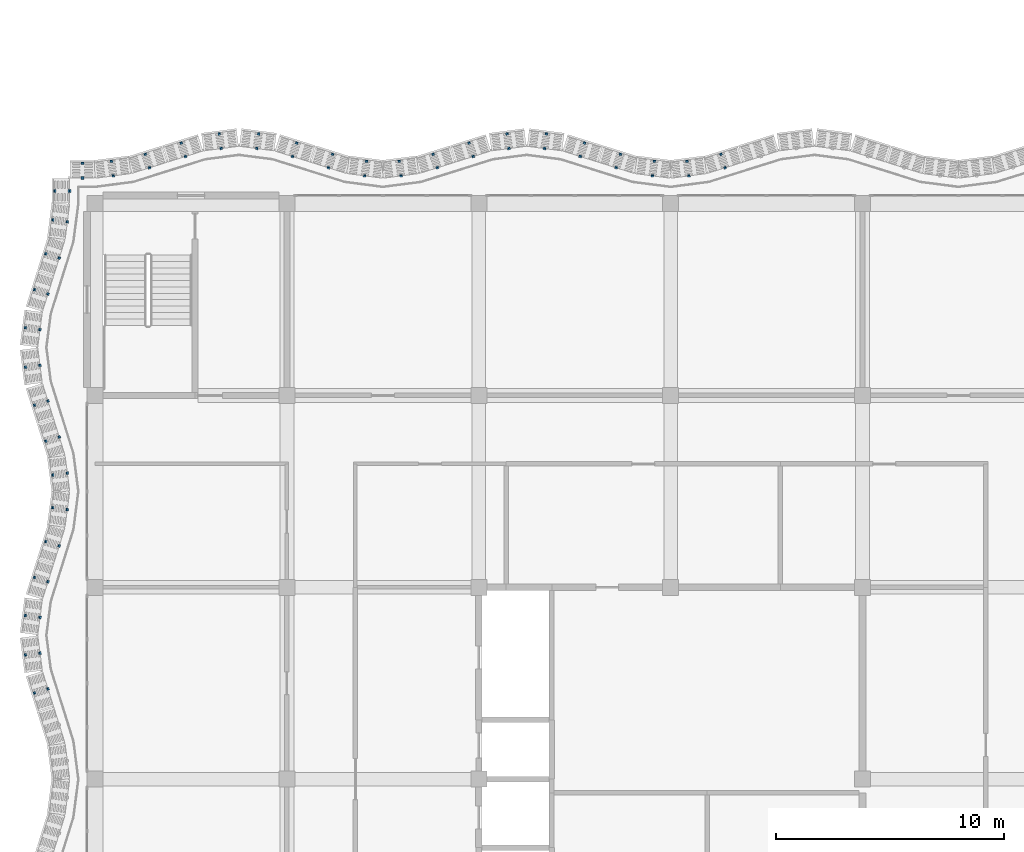
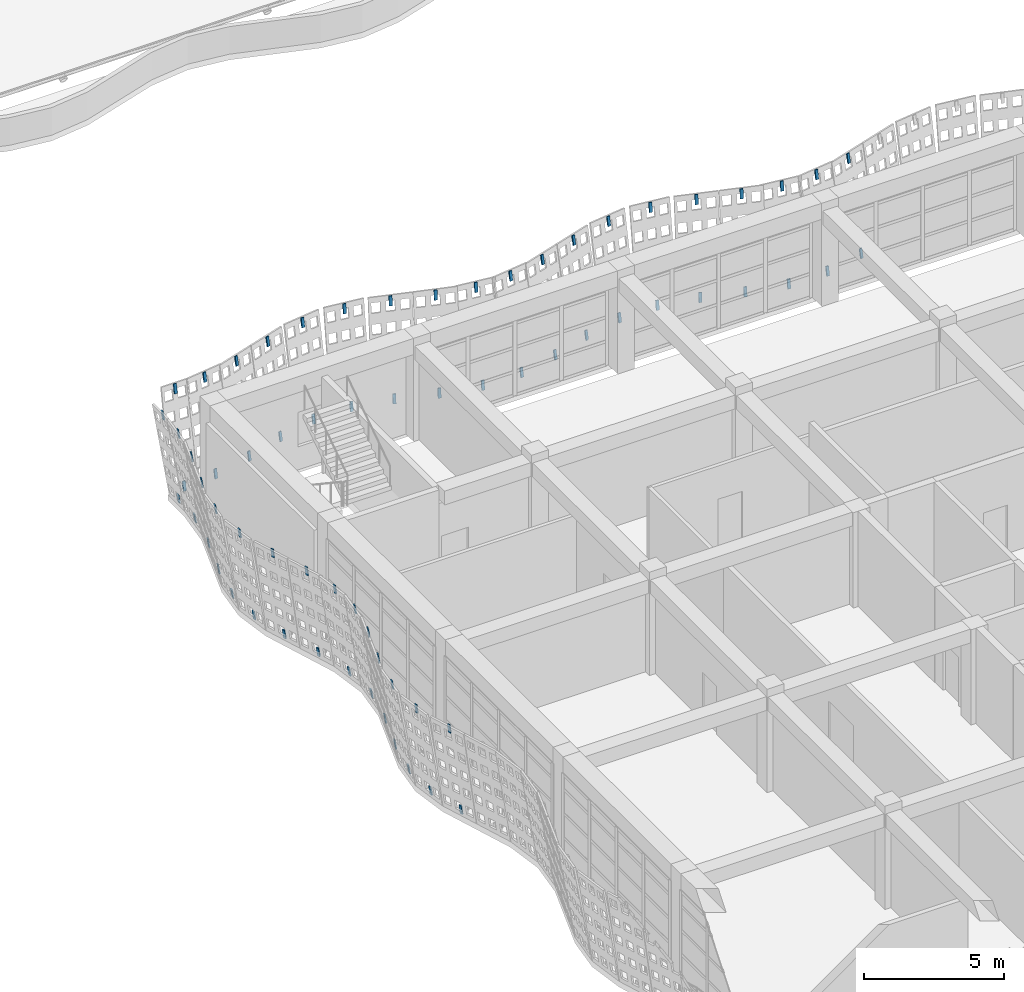
# One storey, part 118 of 163: 68 discrete accessories.
"""IFC4 building model written with IfcOpenShell, lengths in metres."""

from ifc_helpers import new_model, si_unit, direction, frame, origin, origin_2d, place, context, subcontext, project, spatial, rectangle, extrude, material, material_profile, profile_set, type_object, element, save


model = new_model("IFC4")

# Units and contexts
model_context = context("Model", 3, precision=1e-05, world=origin(), true_north=direction((0.0, 1.0)))
body_context = subcontext(model_context, "Body", "Model", "MODEL_VIEW")
ifc_project = project(units=[si_unit("LENGTHUNIT", "METRE"), si_unit("AREAUNIT", "SQUARE_METRE"), si_unit("VOLUMEUNIT", "CUBIC_METRE"), si_unit("PLANEANGLEUNIT", "RADIAN"), si_unit("MASSUNIT", "GRAM", prefix="KILO")], contexts=[model_context])

# Site, building, storey
site_placement = place(None, origin())
site = spatial("IfcSite", under=ifc_project, at=site_placement, CompositionType="ELEMENT")
building_placement = place(site_placement, origin())
building = spatial("IfcBuilding", under=site, at=building_placement, Name="Rain Tree Exposition and Congress Centre", CompositionType="ELEMENT")
storey_placement = place(building_placement, frame((0.0, 0.0, 10.5)))
storey = spatial("IfcBuildingStorey", under=building, at=storey_placement, Name="L02", CompositionType="ELEMENT", Elevation=10.5)

# Discrete accessories
ifc_material = material(Name="Steel S355J2", Category="steel")
ifc_material_profile = material_profile(ifc_material, rectangle(XDim=0.1201171875, YDim=0.050048828125, at=origin_2d()), Name="Flat bar 120x50")
ifc_profile_set = profile_set([ifc_material_profile], Name="Steel S355J2")
discrete_accessory_type = type_object("IfcDiscreteAccessoryType", Name="Screen bracket 120x50", PredefinedType="BRACKET", material=ifc_profile_set)
for number, where, z_axis, x_axis, name in (
    (1, (27.4091796875, 52.5283203125, 3.85107421875), (-0.047601548727, 0.150738237635, 0.987426997946), (-0.953582665134, -0.301131367937, 0.0), "wing/bracket/L02/0831t"),
    (2, (27.593505859375, 51.941162109375, 0.00390625), (-0.04699262887, 0.150742588713, 0.987455500152), (-0.954686073127, -0.297614686764, 0.0), "wing/bracket/L02/0831b"),
):
    element("IfcDiscreteAccessory", number, at=place(storey_placement, frame(where, z_axis=z_axis, x_axis=x_axis)), inside=storey, type_object=discrete_accessory_type, Name=name, PredefinedType="BRACKET", context=body_context, shape_type="SweptSolid", body=[
        extrude(rectangle(XDim=0.1201171875, YDim=0.050048828125, at=origin_2d()), origin(), (0.0, 0.0, 1.0), 0.400146484375),
    ])
for number, where, z_axis, x_axis, name in (
    (3, (25.918212890625, 52.2216796875, 3.851318359375), (-0.020755767579, 0.162383358115, 0.986509423736), (-0.991929834703, -0.126788023985, 0.0), "wing/bracket/L02/0841t"),
    (4, (26.0009765625, 51.587158203125, 0.004150390625), (-0.021363835031, 0.162975541524, 0.986398783159), (-0.991517377774, -0.129974188098, 0.0), "wing/bracket/L02/0841b"),
    (5, (24.481689453125, 52.2216796875, 3.851318359375), (0.021365956631, 0.162381270396, 0.986496740452), (-0.991454295543, 0.130454512571, 0.0), "wing/bracket/L02/0851t"),
    (6, (24.399169921875, 51.587158203125, 0.004150390625), (0.021363835031, 0.162975541524, 0.986398783159), (-0.991517377774, 0.129974188098, 0.0), "wing/bracket/L02/0851b"),
):
    element("IfcDiscreteAccessory", number, at=place(storey_placement, frame(where, z_axis=z_axis, x_axis=x_axis)), inside=storey, type_object=discrete_accessory_type, Name=name, PredefinedType="BRACKET", context=body_context, shape_type="SweptSolid", body=[
        extrude(rectangle(XDim=0.1201171875, YDim=0.050048828125, at=origin_2d()), origin(), (0.0, 0.0, 1.0), 0.39990234375),
    ])
for number, where, z_axis, x_axis, name in (
    (7, (22.990966796875, 52.5283203125, 3.85107421875), (0.047601548727, 0.150738237635, 0.987426997946), (-0.953582665134, 0.301131367937, 0.0), "wing/bracket/L02/0861t"),
    (8, (22.806396484375, 51.941162109375, 0.00390625), (0.047601548727, 0.150738237635, 0.987426997946), (-0.953582665134, 0.301131367937, 0.0), "wing/bracket/L02/0861b"),
    (9, (21.419189453125, 53.022216796875, 3.85107421875), (0.047601548727, 0.150738237635, 0.987426997946), (-0.953582665134, 0.301131367937, 0.0), "wing/bracket/L02/0871t"),
    (10, (21.23486328125, 52.43505859375, 0.00390625), (0.04699262887, 0.150742588713, 0.987455500152), (-0.954686073127, 0.297614686764, 0.0), "wing/bracket/L02/0871b"),
):
    element("IfcDiscreteAccessory", number, at=place(storey_placement, frame(where, z_axis=z_axis, x_axis=x_axis)), inside=storey, type_object=discrete_accessory_type, Name=name, PredefinedType="BRACKET", context=body_context, shape_type="SweptSolid", body=[
        extrude(rectangle(XDim=0.1201171875, YDim=0.050048828125, at=origin_2d()), origin(), (0.0, 0.0, 1.0), 0.400146484375),
    ])
for number, where, z_axis, x_axis, name in (
    (11, (19.75830078125, 53.41650390625, 3.851318359375), (0.021365956631, 0.162381270396, 0.986496740452), (-0.991454295543, 0.130454512571, 0.0), "wing/bracket/L02/0881t"),
    (12, (19.67578125, 52.781982421875, 0.004150390625), (0.021363835031, 0.162975541524, 0.986398783159), (-0.991517377774, 0.129974188098, 0.0), "wing/bracket/L02/0881b"),
    (13, (18.04150390625, 53.41650390625, 3.851318359375), (-0.020755767579, 0.162383358115, 0.986509423736), (-0.991929834703, -0.126788023985, 0.0), "wing/bracket/L02/0891t"),
    (14, (18.124267578125, 52.781982421875, 0.004150390625), (-0.021363835031, 0.162975541524, 0.986398783159), (-0.991517377774, -0.129974188098, 0.0), "wing/bracket/L02/0891b"),
):
    element("IfcDiscreteAccessory", number, at=place(storey_placement, frame(where, z_axis=z_axis, x_axis=x_axis)), inside=storey, type_object=discrete_accessory_type, Name=name, PredefinedType="BRACKET", context=body_context, shape_type="SweptSolid", body=[
        extrude(rectangle(XDim=0.1201171875, YDim=0.050048828125, at=origin_2d()), origin(), (0.0, 0.0, 1.0), 0.39990234375),
    ])
for number, where, z_axis, x_axis, name in (
    (15, (16.380615234375, 53.022216796875, 3.85107421875), (-0.04699262887, 0.150742588713, 0.987455500152), (-0.954686073127, -0.297614686764, 0.0), "wing/bracket/L02/0901t"),
    (16, (16.565185546875, 52.43505859375, 0.00390625), (-0.04699262887, 0.150742588713, 0.987455500152), (-0.954686073127, -0.297614686764, 0.0), "wing/bracket/L02/0901b"),
    (17, (14.80908203125, 52.5283203125, 3.85107421875), (-0.047601548727, 0.150738237635, 0.987426997946), (-0.953582665134, -0.301131367937, 0.0), "wing/bracket/L02/0911t"),
    (18, (14.99365234375, 51.941162109375, 0.00390625), (-0.047601548727, 0.150738237635, 0.987426997946), (-0.953582665134, -0.301131367937, 0.0), "wing/bracket/L02/0911b"),
):
    element("IfcDiscreteAccessory", number, at=place(storey_placement, frame(where, z_axis=z_axis, x_axis=x_axis)), inside=storey, type_object=discrete_accessory_type, Name=name, PredefinedType="BRACKET", context=body_context, shape_type="SweptSolid", body=[
        extrude(rectangle(XDim=0.1201171875, YDim=0.050048828125, at=origin_2d()), origin(), (0.0, 0.0, 1.0), 0.400146484375),
    ])
for number, where, z_axis, x_axis, name in (
    (19, (13.318359375, 52.2216796875, 3.851318359375), (-0.021365956631, 0.162381270396, 0.986496740452), (-0.991454295543, -0.130454512571, 0.0), "wing/bracket/L02/0921t"),
    (20, (13.40087890625, 51.587158203125, 0.004150390625), (-0.021363835031, 0.162975541524, 0.986398783159), (-0.991517377774, -0.129974188098, 0.0), "wing/bracket/L02/0921b"),
    (21, (11.881591796875, 52.2216796875, 3.851318359375), (0.021365956631, 0.162381270396, 0.986496740452), (-0.991454295543, 0.130454512571, 0.0), "wing/bracket/L02/0931t"),
    (22, (11.799072265625, 51.587158203125, 0.004150390625), (0.021363835031, 0.162975541524, 0.986398783159), (-0.991517377774, 0.129974188098, 0.0), "wing/bracket/L02/0931b"),
):
    element("IfcDiscreteAccessory", number, at=place(storey_placement, frame(where, z_axis=z_axis, x_axis=x_axis)), inside=storey, type_object=discrete_accessory_type, Name=name, PredefinedType="BRACKET", context=body_context, shape_type="SweptSolid", body=[
        extrude(rectangle(XDim=0.1201171875, YDim=0.050048828125, at=origin_2d()), origin(), (0.0, 0.0, 1.0), 0.39990234375),
    ])
for number, where, z_axis, x_axis, name in (
    (23, (10.390869140625, 52.5283203125, 3.85107421875), (0.047601548727, 0.150738237635, 0.987426997946), (-0.953582665134, 0.301131367937, 0.0), "wing/bracket/L02/0941t"),
    (24, (10.206298828125, 51.941162109375, 0.00390625), (0.047601548727, 0.150738237635, 0.987426997946), (-0.953582665134, 0.301131367937, 0.0), "wing/bracket/L02/0941b"),
    (25, (8.8193359375, 53.022216796875, 3.85107421875), (0.04699262887, 0.150742588713, 0.987455500152), (-0.954686073127, 0.297614686764, 0.0), "wing/bracket/L02/0951t"),
    (26, (8.634765625, 52.43505859375, 0.00390625), (0.047601548727, 0.150738237635, 0.987426997946), (-0.953582665134, 0.301131367937, 0.0), "wing/bracket/L02/0951b"),
):
    element("IfcDiscreteAccessory", number, at=place(storey_placement, frame(where, z_axis=z_axis, x_axis=x_axis)), inside=storey, type_object=discrete_accessory_type, Name=name, PredefinedType="BRACKET", context=body_context, shape_type="SweptSolid", body=[
        extrude(rectangle(XDim=0.1201171875, YDim=0.050048828125, at=origin_2d()), origin(), (0.0, 0.0, 1.0), 0.400146484375),
    ])
for number, where, z_axis, x_axis, name in (
    (27, (7.158447265625, 53.41650390625, 3.851318359375), (0.020755767579, 0.162383358115, 0.986509423736), (-0.991929834703, 0.126788023985, 0.0), "wing/bracket/L02/0961t"),
    (28, (7.07568359375, 52.781982421875, 0.004150390625), (0.021363835031, 0.162975541524, 0.986398783159), (-0.991517377774, 0.129974188098, 0.0), "wing/bracket/L02/0961b"),
    (29, (5.441650390625, 53.41650390625, 3.851318359375), (-0.021365956631, 0.162381270396, 0.986496740452), (-0.991454295543, -0.130454512571, 0.0), "wing/bracket/L02/0971t"),
    (30, (5.524169921875, 52.781982421875, 0.004150390625), (-0.021363835031, 0.162975541524, 0.986398783159), (-0.991517377774, -0.129974188098, 0.0), "wing/bracket/L02/0971b"),
):
    element("IfcDiscreteAccessory", number, at=place(storey_placement, frame(where, z_axis=z_axis, x_axis=x_axis)), inside=storey, type_object=discrete_accessory_type, Name=name, PredefinedType="BRACKET", context=body_context, shape_type="SweptSolid", body=[
        extrude(rectangle(XDim=0.1201171875, YDim=0.050048828125, at=origin_2d()), origin(), (0.0, 0.0, 1.0), 0.39990234375),
    ])
for number, where, z_axis, x_axis, name in (
    (31, (3.78076171875, 53.022216796875, 3.85107421875), (-0.047601548727, 0.150738237635, 0.987426997946), (-0.953582665134, -0.301131367937, 0.0), "wing/bracket/L02/0981t"),
    (32, (3.965087890625, 52.43505859375, 0.00390625), (-0.04699262887, 0.150742588713, 0.987455500152), (-0.954686073127, -0.297614686764, 0.0), "wing/bracket/L02/0981b"),
    (33, (2.208984375, 52.5283203125, 3.85107421875), (-0.04699262887, 0.150742588713, 0.987455500152), (-0.954686073127, -0.297614686764, 0.0), "wing/bracket/L02/0991t"),
    (34, (2.3935546875, 51.941162109375, 0.00390625), (-0.047601548727, 0.150738237635, 0.987426997946), (-0.953582665134, -0.301131367937, 0.0), "wing/bracket/L02/0991b"),
):
    element("IfcDiscreteAccessory", number, at=place(storey_placement, frame(where, z_axis=z_axis, x_axis=x_axis)), inside=storey, type_object=discrete_accessory_type, Name=name, PredefinedType="BRACKET", context=body_context, shape_type="SweptSolid", body=[
        extrude(rectangle(XDim=0.1201171875, YDim=0.050048828125, at=origin_2d()), origin(), (0.0, 0.0, 1.0), 0.400146484375),
    ])
for number, where, z_axis, x_axis, name in (
    (35, (0.71826171875, 52.2216796875, 3.851318359375), (-0.021365956631, 0.162381270396, 0.986496740452), (-0.991454295543, -0.130454512571, 0.0), "wing/bracket/L02/1001t"),
    (36, (0.80078125, 51.587158203125, 0.004150390625), (-0.020753706516, 0.162977636468, 0.986411462665), (-0.991989449114, -0.12632075382, 0.0), "wing/bracket/L02/1001b"),
):
    element("IfcDiscreteAccessory", number, at=place(storey_placement, frame(where, z_axis=z_axis, x_axis=x_axis)), inside=storey, type_object=discrete_accessory_type, Name=name, PredefinedType="BRACKET", context=body_context, shape_type="SweptSolid", body=[
        extrude(rectangle(XDim=0.1201171875, YDim=0.050048828125, at=origin_2d()), origin(), (0.0, 0.0, 1.0), 0.39990234375),
    ])
for number, where, z_axis, x_axis, name in (
    (37, (-0.5537109375, 52.12890625, 3.851318359375), (0.0, 0.16598207031, 0.986128770666), (-1.0, 0.0, 0.0), "wing/bracket/L02/1011t"),
    (38, (-0.5537109375, 51.48388671875, 0.004150390625), (0.0, 0.165388563864, 0.986228484147), (-1.0, 0.0, 0.0), "wing/bracket/L02/1011b"),
    (39, (-1.72900390625, 50.953857421875, 3.851318359375), (-0.165388563864, 0.0, 0.986228484147), (0.0, -1.0, 0.0), "wing/bracket/L02/1021t"),
):
    element("IfcDiscreteAccessory", number, at=place(storey_placement, frame(where, z_axis=z_axis, x_axis=x_axis)), inside=storey, type_object=discrete_accessory_type, Name=name, PredefinedType="BRACKET", context=body_context, shape_type="SweptSolid", body=[
        extrude(rectangle(XDim=0.1201171875, YDim=0.050048828125, at=origin_2d()), origin(), (0.0, 0.0, 1.0), 0.400146484375),
    ])
for number, where, z_axis, x_axis, name in (
    (40, (-1.083984375, 50.953857421875, 0.004150390625), (-0.164794877674, 0.0, 0.986327860446), (0.0, -1.0, 0.0), "wing/bracket/L02/1021b"),
    (41, (-1.821533203125, 49.681640625, 3.851318359375), (-0.162975541524, 0.021363835031, 0.986398783159), (-0.129974188098, -0.991517377774, 0.0), "wing/bracket/L02/1031t"),
    (42, (-1.187255859375, 49.59912109375, 0.004150390625), (-0.162381270396, 0.021365956631, 0.986496740452), (-0.130454512571, -0.991454295543, 0.0), "wing/bracket/L02/1031b"),
):
    element("IfcDiscreteAccessory", number, at=place(storey_placement, frame(where, z_axis=z_axis, x_axis=x_axis)), inside=storey, type_object=discrete_accessory_type, Name=name, PredefinedType="BRACKET", context=body_context, shape_type="SweptSolid", body=[
        extrude(rectangle(XDim=0.1201171875, YDim=0.050048828125, at=origin_2d()), origin(), (0.0, 0.0, 1.0), 0.39990234375),
    ])
for number, where, z_axis, x_axis, name in (
    (43, (-2.12841796875, 48.19091796875, 3.85107421875), (-0.150738237635, 0.047601548727, 0.987426997946), (-0.301131367937, -0.953582665134, 0.0), "wing/bracket/L02/1041t"),
    (44, (-1.541259765625, 48.00634765625, 0.00390625), (-0.150738237635, 0.047601548727, 0.987426997946), (-0.301131367937, -0.953582665134, 0.0), "wing/bracket/L02/1041b"),
    (45, (-2.622314453125, 46.619384765625, 3.85107421875), (-0.150742588713, 0.04699262887, 0.987455500152), (-0.297614686764, -0.954686073127, 0.0), "wing/bracket/L02/1051t"),
    (46, (-2.03515625, 46.434814453125, 0.00390625), (-0.150742588713, 0.04699262887, 0.987455500152), (-0.297614686764, -0.954686073127, 0.0), "wing/bracket/L02/1051b"),
):
    element("IfcDiscreteAccessory", number, at=place(storey_placement, frame(where, z_axis=z_axis, x_axis=x_axis)), inside=storey, type_object=discrete_accessory_type, Name=name, PredefinedType="BRACKET", context=body_context, shape_type="SweptSolid", body=[
        extrude(rectangle(XDim=0.1201171875, YDim=0.050048828125, at=origin_2d()), origin(), (0.0, 0.0, 1.0), 0.400146484375),
    ])
for number, where, z_axis, x_axis, name in (
    (47, (-3.016357421875, 44.95849609375, 3.851318359375), (-0.162977636468, 0.020753706516, 0.986411462665), (-0.12632075382, -0.991989449114, 0.0), "wing/bracket/L02/1061t"),
    (48, (-2.382080078125, 44.875732421875, 0.004150390625), (-0.162381270396, 0.021365956631, 0.986496740452), (-0.130454512571, -0.991454295543, 0.0), "wing/bracket/L02/1061b"),
    (49, (-3.016357421875, 43.24169921875, 3.851318359375), (-0.162975541524, -0.021363835031, 0.986398783159), (0.129974188098, -0.991517377774, 0.0), "wing/bracket/L02/1071t"),
    (50, (-2.382080078125, 43.32421875, 0.004150390625), (-0.162381270396, -0.021365956631, 0.986496740452), (0.130454512571, -0.991454295543, 0.0), "wing/bracket/L02/1071b"),
):
    element("IfcDiscreteAccessory", number, at=place(storey_placement, frame(where, z_axis=z_axis, x_axis=x_axis)), inside=storey, type_object=discrete_accessory_type, Name=name, PredefinedType="BRACKET", context=body_context, shape_type="SweptSolid", body=[
        extrude(rectangle(XDim=0.1201171875, YDim=0.050048828125, at=origin_2d()), origin(), (0.0, 0.0, 1.0), 0.39990234375),
    ])
for number, where, z_axis, x_axis, name in (
    (51, (-2.622314453125, 41.580810546875, 3.85107421875), (-0.150738237635, -0.047601548727, 0.987426997946), (0.301131367937, -0.953582665134, 0.0), "wing/bracket/L02/1081t"),
    (52, (-2.03515625, 41.76513671875, 0.00390625), (-0.150742588713, -0.04699262887, 0.987455500152), (0.297614686764, -0.954686073127, 0.0), "wing/bracket/L02/1081b"),
    (53, (-2.12841796875, 40.009033203125, 3.85107421875), (-0.150738237635, -0.047601548727, 0.987426997946), (0.301131367937, -0.953582665134, 0.0), "wing/bracket/L02/1091t"),
    (54, (-1.541259765625, 40.193603515625, 0.00390625), (-0.150738237635, -0.047601548727, 0.987426997946), (0.301131367937, -0.953582665134, 0.0), "wing/bracket/L02/1091b"),
):
    element("IfcDiscreteAccessory", number, at=place(storey_placement, frame(where, z_axis=z_axis, x_axis=x_axis)), inside=storey, type_object=discrete_accessory_type, Name=name, PredefinedType="BRACKET", context=body_context, shape_type="SweptSolid", body=[
        extrude(rectangle(XDim=0.1201171875, YDim=0.050048828125, at=origin_2d()), origin(), (0.0, 0.0, 1.0), 0.400146484375),
    ])
for number, where, z_axis, x_axis, name in (
    (55, (-1.821533203125, 38.518310546875, 3.851318359375), (-0.162975541524, -0.021363835031, 0.986398783159), (0.129974188098, -0.991517377774, 0.0), "wing/bracket/L02/1101t"),
    (56, (-1.187255859375, 38.600830078125, 0.004150390625), (-0.162381270396, -0.021365956631, 0.986496740452), (0.130454512571, -0.991454295543, 0.0), "wing/bracket/L02/1101b"),
    (57, (-1.821533203125, 37.081787109375, 3.851318359375), (-0.162977636468, 0.020753706516, 0.986411462665), (-0.12632075382, -0.991989449114, 0.0), "wing/bracket/L02/1111t"),
    (58, (-1.187255859375, 36.9990234375, 0.004150390625), (-0.162381270396, 0.021365956631, 0.986496740452), (-0.130454512571, -0.991454295543, 0.0), "wing/bracket/L02/1111b"),
):
    element("IfcDiscreteAccessory", number, at=place(storey_placement, frame(where, z_axis=z_axis, x_axis=x_axis)), inside=storey, type_object=discrete_accessory_type, Name=name, PredefinedType="BRACKET", context=body_context, shape_type="SweptSolid", body=[
        extrude(rectangle(XDim=0.1201171875, YDim=0.050048828125, at=origin_2d()), origin(), (0.0, 0.0, 1.0), 0.39990234375),
    ])
for number, where, z_axis, x_axis, name in (
    (59, (-2.12841796875, 35.5908203125, 3.85107421875), (-0.150738237635, 0.047601548727, 0.987426997946), (-0.301131367937, -0.953582665134, 0.0), "wing/bracket/L02/1121t"),
    (60, (-1.541259765625, 35.406494140625, 0.00390625), (-0.150742588713, 0.04699262887, 0.987455500152), (-0.297614686764, -0.954686073127, 0.0), "wing/bracket/L02/1121b"),
    (61, (-2.622314453125, 34.019287109375, 3.85107421875), (-0.150742588713, 0.04699262887, 0.987455500152), (-0.297614686764, -0.954686073127, 0.0), "wing/bracket/L02/1131t"),
    (62, (-2.03515625, 33.834716796875, 0.00390625), (-0.150738237635, 0.047601548727, 0.987426997946), (-0.301131367937, -0.953582665134, 0.0), "wing/bracket/L02/1131b"),
):
    element("IfcDiscreteAccessory", number, at=place(storey_placement, frame(where, z_axis=z_axis, x_axis=x_axis)), inside=storey, type_object=discrete_accessory_type, Name=name, PredefinedType="BRACKET", context=body_context, shape_type="SweptSolid", body=[
        extrude(rectangle(XDim=0.1201171875, YDim=0.050048828125, at=origin_2d()), origin(), (0.0, 0.0, 1.0), 0.400146484375),
    ])
for number, where, z_axis, x_axis, name in (
    (63, (-3.016357421875, 32.3583984375, 3.851318359375), (-0.162977636468, 0.020753706516, 0.986411462665), (-0.12632075382, -0.991989449114, 0.0), "wing/bracket/L02/1141t"),
    (64, (-2.382080078125, 32.27587890625, 0.004150390625), (-0.162383358115, 0.020755767579, 0.986509423736), (-0.126788023985, -0.991929834703, 0.0), "wing/bracket/L02/1141b"),
    (65, (-3.016357421875, 30.6416015625, 3.851318359375), (-0.162977636468, -0.020753706516, 0.986411462665), (0.12632075382, -0.991989449114, 0.0), "wing/bracket/L02/1151t"),
    (66, (-2.382080078125, 30.72412109375, 0.004150390625), (-0.162383358115, -0.020755767579, 0.986509423736), (0.126788023985, -0.991929834703, 0.0), "wing/bracket/L02/1151b"),
):
    element("IfcDiscreteAccessory", number, at=place(storey_placement, frame(where, z_axis=z_axis, x_axis=x_axis)), inside=storey, type_object=discrete_accessory_type, Name=name, PredefinedType="BRACKET", context=body_context, shape_type="SweptSolid", body=[
        extrude(rectangle(XDim=0.1201171875, YDim=0.050048828125, at=origin_2d()), origin(), (0.0, 0.0, 1.0), 0.39990234375),
    ])
for number, where, z_axis, x_axis, name in (
    (67, (-2.622314453125, 28.980712890625, 3.85107421875), (-0.150742588713, -0.04699262887, 0.987455500152), (0.297614686764, -0.954686073127, 0.0), "wing/bracket/L02/1161t"),
    (68, (-2.03515625, 29.165283203125, 0.00390625), (-0.150738237635, -0.047601548727, 0.987426997946), (0.301131367937, -0.953582665134, 0.0), "wing/bracket/L02/1161b"),
):
    element("IfcDiscreteAccessory", number, at=place(storey_placement, frame(where, z_axis=z_axis, x_axis=x_axis)), inside=storey, type_object=discrete_accessory_type, Name=name, PredefinedType="BRACKET", context=body_context, shape_type="SweptSolid", body=[
        extrude(rectangle(XDim=0.1201171875, YDim=0.050048828125, at=origin_2d()), origin(), (0.0, 0.0, 1.0), 0.400146484375),
    ])

save(model, "model.ifc")
